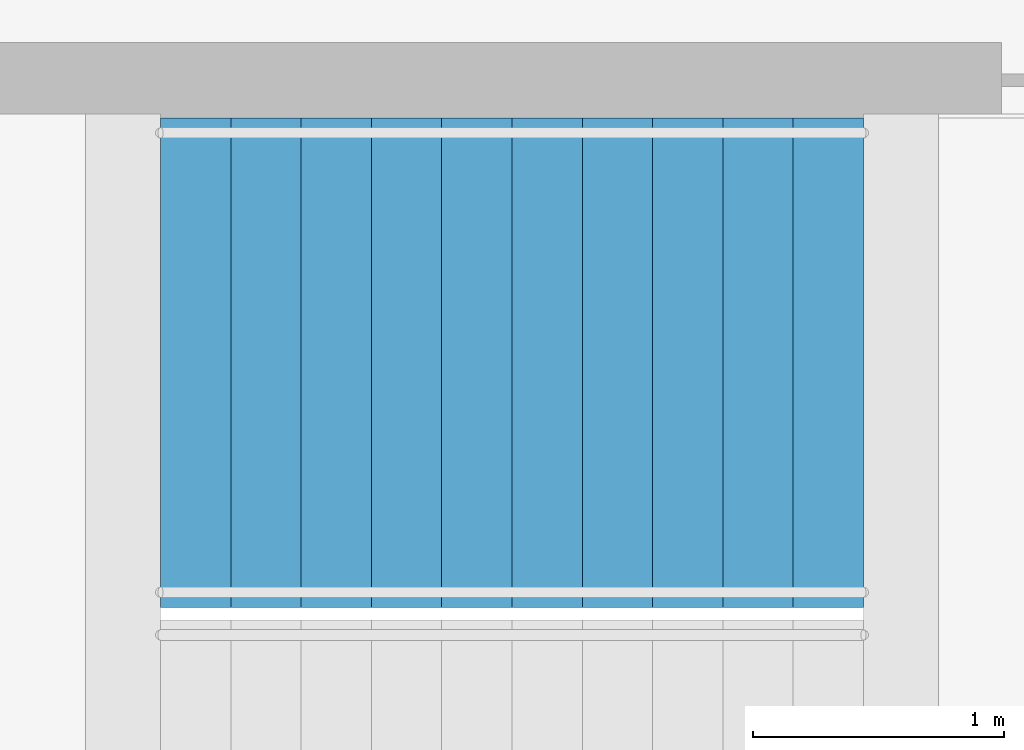
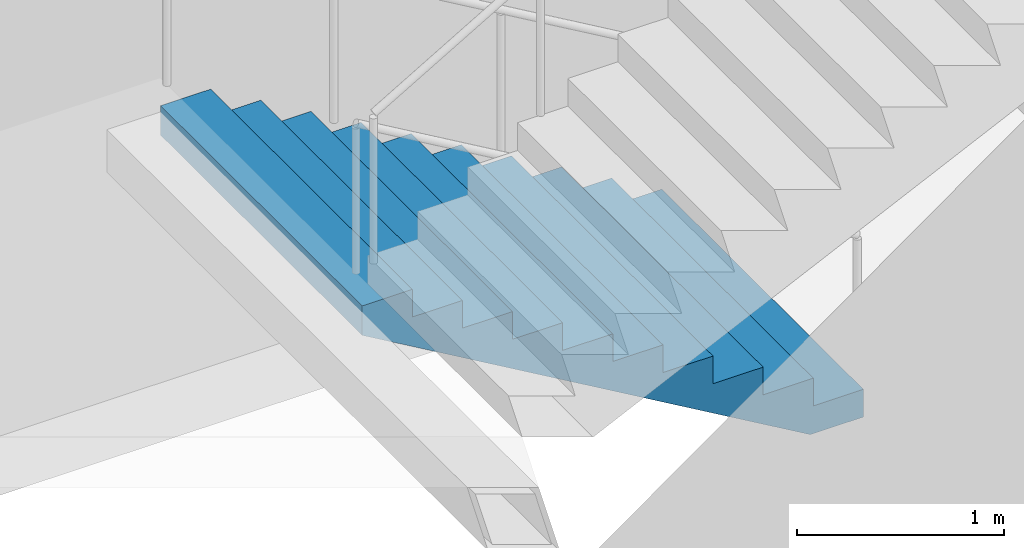
# One storey, part 22 of 24: 1 stair flight, 1 element without a shape of its own.
"""IFC4 building model written with IfcOpenShell, lengths in metres."""

from ifc_helpers import new_model, si_unit, direction, frame, origin, place, context, subcontext, project, spatial, triangles, material, type_object, element, aggregate, save


model = new_model("IFC4")

# Units and contexts
model_context = context("Model", 3, precision=1e-05, world=origin(), true_north=direction((0.0, 1.0)))
body_context = subcontext(model_context, "Body", "Model", "MODEL_VIEW")
ifc_project = project(units=[si_unit("LENGTHUNIT", "METRE"), si_unit("AREAUNIT", "SQUARE_METRE"), si_unit("VOLUMEUNIT", "CUBIC_METRE"), si_unit("PLANEANGLEUNIT", "RADIAN"), si_unit("MASSUNIT", "GRAM", prefix="KILO")], contexts=[model_context])

# Site, building, storey
site_placement = place(None, origin())
site = spatial("IfcSite", under=ifc_project, at=site_placement, CompositionType="ELEMENT")
building_placement = place(site_placement, origin())
building = spatial("IfcBuilding", under=site, at=building_placement, Name="Orbita Commons", CompositionType="ELEMENT")
storey_placement = place(building_placement, frame((0.0, 0.0, 68.949951171875)))
storey = spatial("IfcBuildingStorey", under=building, at=storey_placement, Name="L17", CompositionType="ELEMENT", Elevation=68.949951171875)

# Stair, stair flight
ifc_material_1 = material(Name="Precast concrete C40/50", Category="concrete")
stair_type = type_object("IfcStairType", Name="Exit stair S2 4 flights 11 risers 164", PredefinedType="HALF_TURN_STAIR", material=ifc_material_1)
stair_placement = place(storey_placement, origin())
stair = element("IfcStair", 1, at=stair_placement, inside=storey, type_object=stair_type, Name="Exit stair S2 L17", PredefinedType="HALF_TURN_STAIR")
ifc_material_2 = material(Name="Precast concrete C40/50", Category="concrete")
stair_flight_type = type_object("IfcStairFlightType", Name="Stair flight 11 risers 164 x 280", PredefinedType="STRAIGHT", material=ifc_material_2)
stair_flight_placement = place(storey_placement, frame((63.550048828125, 29.27490234375, 0.0), z_axis=(0.0, 0.0, 1.0), x_axis=(-1.0, 0.0, 0.0)))
stair_flight = element("IfcStairFlight", 2, at=stair_flight_placement, type_object=stair_flight_type, Name="S2 flight 1", NumberOfRisers=11, NumberOfTreads=10, PredefinedType="STRAIGHT", RiserHeight=0.163636364, TreadLength=0.28, context=body_context, shape_type="Tessellation", body=[
    triangles([(0.0, 0.974976, 0.0), (0.0, 0.974976, 0.020455), (0.0, 0.81248, 0.020455), (0.0, 0.81248, 0.0), (0.0, 0.649984, 0.020455), (0.0, 0.649984, 0.0), (0.0, 0.487488, 0.020455), (0.0, 0.487488, 0.0), (0.0, 0.324992, 0.020455), (0.0, 0.324992, 0.0), (0.0, 0.162496, 0.020455), (0.0, 0.162496, 0.0), (0.0, 0.0, 0.020455), (0.0, 0.0, 0.0), (0.0, -0.162496, 0.020455), (0.0, -0.162496, 0.0), (0.0, -0.324992, 0.020455), (0.0, -0.324992, 0.0), (0.0, -0.487488, 0.020455), (0.0, -0.487488, 0.0), (0.0, -0.649984, 0.020455), (0.0, -0.649984, 0.0), (0.0, -0.81248, 0.020455), (0.0, -0.81248, 0.0), (0.0, -0.974976, 0.020455), (0.0, -0.974976, 0.0), (0.0, 0.974976, 0.040909), (0.0, 0.81248, 0.040909), (0.0, 0.649984, 0.040909), (0.0, 0.487488, 0.040909), (0.0, 0.324992, 0.040909), (0.0, 0.162496, 0.040909), (0.0, 0.0, 0.040909), (0.0, -0.162496, 0.040909), (0.0, -0.324992, 0.040909), (0.0, -0.487488, 0.040909), (0.0, -0.649984, 0.040909), (0.0, -0.81248, 0.040909), (0.0, -0.974976, 0.040909), (0.0, 0.974976, 0.061364), (0.0, 0.81248, 0.061364), (0.0, 0.649984, 0.061364), (0.0, 0.487488, 0.061364), (0.0, 0.324992, 0.061364), (0.0, 0.162496, 0.061364), (0.0, 0.0, 0.061364), (0.0, -0.162496, 0.061364), (0.0, -0.324992, 0.061364), (0.0, -0.487488, 0.061364), (0.0, -0.649984, 0.061364), (0.0, -0.81248, 0.061364), (0.0, -0.974976, 0.061364), (0.0, 0.974976, 0.081818), (0.0, 0.81248, 0.081818), (0.0, 0.649984, 0.081818), (0.0, 0.487488, 0.081818), (0.0, 0.324992, 0.081818), (0.0, 0.162496, 0.081818), (0.0, 0.0, 0.081818), (0.0, -0.162496, 0.081818), (0.0, -0.324992, 0.081818), (0.0, -0.487488, 0.081818), (0.0, -0.649984, 0.081818), (0.0, -0.81248, 0.081818), (0.0, -0.974976, 0.081818), (0.0, 0.974976, 0.102273), (0.0, 0.81248, 0.102273), (0.0, 0.649984, 0.102273), (0.0, 0.487488, 0.102273), (0.0, 0.324992, 0.102273), (0.0, 0.162496, 0.102273), (0.0, 0.0, 0.102273), (0.0, -0.162496, 0.102273), (0.0, -0.324992, 0.102273), (0.0, -0.487488, 0.102273), (0.0, -0.649984, 0.102273), (0.0, -0.81248, 0.102273), (0.0, -0.974976, 0.102273), (0.0, 0.974976, 0.122727), (0.0, 0.81248, 0.122727), (0.0, 0.649984, 0.122727), (0.0, 0.487488, 0.122727), (0.0, 0.324992, 0.122727), (0.0, 0.162496, 0.122727), (0.0, 0.0, 0.122727), (0.0, -0.162496, 0.122727), (0.0, -0.324992, 0.122727), (0.0, -0.487488, 0.122727), (0.0, -0.649984, 0.122727), (0.0, -0.81248, 0.122727), (0.0, -0.974976, 0.122727), (0.0, 0.974976, 0.143182), (0.0, 0.81248, 0.143182), (0.0, 0.649984, 0.143182), (0.0, 0.487488, 0.143182), (0.0, 0.324992, 0.143182), (0.0, 0.162496, 0.143182), (0.0, 0.0, 0.143182), (0.0, -0.162496, 0.143182), (0.0, -0.324992, 0.143182), (0.0, -0.487488, 0.143182), (0.0, -0.649984, 0.143182), (0.0, -0.81248, 0.143182), (0.0, -0.974976, 0.143182), (0.0, 0.974976, 0.163636), (0.0, 0.81248, 0.163636), (0.0, 0.649984, 0.163636), (0.0, 0.487488, 0.163636), (0.0, 0.324992, 0.163636), (0.0, 0.162496, 0.163636), (0.0, 0.0, 0.163636), (0.0, -0.162496, 0.163636), (0.0, -0.324992, 0.163636), (0.0, -0.487488, 0.163636), (0.0, -0.649984, 0.163636), (0.0, -0.81248, 0.163636), (0.0, -0.974976, 0.163636), (0.28, 0.974976, 0.163636), (0.28, 0.81248, 0.163636), (0.28, 0.649984, 0.163636), (0.28, 0.487488, 0.163636), (0.28, 0.324992, 0.163636), (0.28, 0.162496, 0.163636), (0.28, 0.0, 0.163636), (0.28, -0.162496, 0.163636), (0.28, -0.324992, 0.163636), (0.28, -0.487488, 0.163636), (0.28, -0.649984, 0.163636), (0.28, -0.81248, 0.163636), (0.28, -0.974976, 0.163636), (0.28, 0.974976, 0.327273), (0.28, 0.81248, 0.327273), (0.28, 0.649984, 0.327273), (0.28, 0.487488, 0.327273), (0.28, 0.324992, 0.327273), (0.28, 0.162496, 0.327273), (0.28, 0.0, 0.327273), (0.28, -0.162496, 0.327273), (0.28, -0.324992, 0.327273), (0.28, -0.487488, 0.327273), (0.28, -0.649984, 0.327273), (0.28, -0.81248, 0.327273), (0.28, -0.974976, 0.327273), (0.56, 0.974976, 0.327273), (0.56, 0.81248, 0.327273), (0.56, 0.649984, 0.327273), (0.56, 0.487488, 0.327273), (0.56, 0.324992, 0.327273), (0.56, 0.162496, 0.327273), (0.56, 0.0, 0.327273), (0.56, -0.162496, 0.327273), (0.56, -0.324992, 0.327273), (0.56, -0.487488, 0.327273), (0.56, -0.649984, 0.327273), (0.56, -0.81248, 0.327273), (0.56, -0.974976, 0.327273), (0.56, 0.974976, 0.490909), (0.56, 0.81248, 0.490909), (0.56, 0.649984, 0.490909), (0.56, 0.487488, 0.490909), (0.56, 0.324992, 0.490909), (0.56, 0.162496, 0.490909), (0.56, 0.0, 0.490909), (0.56, -0.162496, 0.490909), (0.56, -0.324992, 0.490909), (0.56, -0.487488, 0.490909), (0.56, -0.649984, 0.490909), (0.56, -0.81248, 0.490909), (0.56, -0.974976, 0.490909), (0.84, 0.974976, 0.490909), (0.84, 0.81248, 0.490909), (0.84, 0.649984, 0.490909), (0.84, 0.487488, 0.490909), (0.84, 0.324992, 0.490909), (0.84, 0.162496, 0.490909), (0.84, 0.0, 0.490909), (0.84, -0.162496, 0.490909), (0.84, -0.324992, 0.490909), (0.84, -0.487488, 0.490909), (0.84, -0.649984, 0.490909), (0.84, -0.81248, 0.490909), (0.84, -0.974976, 0.490909), (0.84, 0.974976, 0.654545), (0.84, 0.81248, 0.654545), (0.84, 0.649984, 0.654545), (0.84, 0.487488, 0.654545), (0.84, 0.324992, 0.654545), (0.84, 0.162496, 0.654545), (0.84, 0.0, 0.654545), (0.84, -0.162496, 0.654545), (0.84, -0.324992, 0.654545), (0.84, -0.487488, 0.654545), (0.84, -0.649984, 0.654545), (0.84, -0.81248, 0.654545), (0.84, -0.974976, 0.654545), (1.12, 0.974976, 0.654545), (1.12, 0.81248, 0.654545), (1.12, 0.649984, 0.654545), (1.12, 0.487488, 0.654545), (1.12, 0.324992, 0.654545), (1.12, 0.162496, 0.654545), (1.12, 0.0, 0.654545), (1.12, -0.162496, 0.654545), (1.12, -0.324992, 0.654545), (1.12, -0.487488, 0.654545), (1.12, -0.649984, 0.654545), (1.12, -0.81248, 0.654545), (1.12, -0.974976, 0.654545), (1.12, 0.974976, 0.818182), (1.12, 0.81248, 0.818182), (1.12, 0.649984, 0.818182), (1.12, 0.487488, 0.818182), (1.12, 0.324992, 0.818182), (1.12, 0.162496, 0.818182), (1.12, 0.0, 0.818182), (1.12, -0.162496, 0.818182), (1.12, -0.324992, 0.818182), (1.12, -0.487488, 0.818182), (1.12, -0.649984, 0.818182), (1.12, -0.81248, 0.818182), (1.12, -0.974976, 0.818182), (1.4, 0.974976, 0.818182), (1.4, 0.81248, 0.818182), (1.4, 0.649984, 0.818182), (1.4, 0.487488, 0.818182), (1.4, 0.324992, 0.818182), (1.4, 0.162496, 0.818182), (1.4, 0.0, 0.818182), (1.4, -0.162496, 0.818182), (1.4, -0.324992, 0.818182), (1.4, -0.487488, 0.818182), (1.4, -0.649984, 0.818182), (1.4, -0.81248, 0.818182), (1.4, -0.974976, 0.818182), (1.4, 0.974976, 0.981818), (1.4, 0.81248, 0.981818), (1.4, 0.649984, 0.981818), (1.4, 0.487488, 0.981818), (1.4, 0.324992, 0.981818), (1.4, 0.162496, 0.981818), (1.4, 0.0, 0.981818), (1.4, -0.162496, 0.981818), (1.4, -0.324992, 0.981818), (1.4, -0.487488, 0.981818), (1.4, -0.649984, 0.981818), (1.4, -0.81248, 0.981818), (1.4, -0.974976, 0.981818), (1.68, 0.974976, 0.981818), (1.68, 0.81248, 0.981818), (1.68, 0.649984, 0.981818), (1.68, 0.487488, 0.981818), (1.68, 0.324992, 0.981818), (1.68, 0.162496, 0.981818), (1.68, 0.0, 0.981818), (1.68, -0.162496, 0.981818), (1.68, -0.324992, 0.981818), (1.68, -0.487488, 0.981818), (1.68, -0.649984, 0.981818), (1.68, -0.81248, 0.981818), (1.68, -0.974976, 0.981818), (1.68, 0.974976, 1.145455), (1.68, 0.81248, 1.145455), (1.68, 0.649984, 1.145455), (1.68, 0.487488, 1.145455), (1.68, 0.324992, 1.145455), (1.68, 0.162496, 1.145455), (1.68, 0.0, 1.145455), (1.68, -0.162496, 1.145455), (1.68, -0.324992, 1.145455), (1.68, -0.487488, 1.145455), (1.68, -0.649984, 1.145455), (1.68, -0.81248, 1.145455), (1.68, -0.974976, 1.145455), (1.96, 0.974976, 1.145455), (1.96, 0.81248, 1.145455), (1.96, 0.649984, 1.145455), (1.96, 0.487488, 1.145455), (1.96, 0.324992, 1.145455), (1.96, 0.162496, 1.145455), (1.96, 0.0, 1.145455), (1.96, -0.162496, 1.145455), (1.96, -0.324992, 1.145455), (1.96, -0.487488, 1.145455), (1.96, -0.649984, 1.145455), (1.96, -0.81248, 1.145455), (1.96, -0.974976, 1.145455), (1.96, 0.974976, 1.309091), (1.96, 0.81248, 1.309091), (1.96, 0.649984, 1.309091), (1.96, 0.487488, 1.309091), (1.96, 0.324992, 1.309091), (1.96, 0.162496, 1.309091), (1.96, 0.0, 1.309091), (1.96, -0.162496, 1.309091), (1.96, -0.324992, 1.309091), (1.96, -0.487488, 1.309091), (1.96, -0.649984, 1.309091), (1.96, -0.81248, 1.309091), (1.96, -0.974976, 1.309091), (2.24, 0.974976, 1.309091), (2.24, 0.81248, 1.309091), (2.24, 0.649984, 1.309091), (2.24, 0.487488, 1.309091), (2.24, 0.324992, 1.309091), (2.24, 0.162496, 1.309091), (2.24, 0.0, 1.309091), (2.24, -0.162496, 1.309091), (2.24, -0.324992, 1.309091), (2.24, -0.487488, 1.309091), (2.24, -0.649984, 1.309091), (2.24, -0.81248, 1.309091), (2.24, -0.974976, 1.309091), (2.24, 0.974976, 1.472727), (2.24, 0.81248, 1.472727), (2.24, 0.649984, 1.472727), (2.24, 0.487488, 1.472727), (2.24, 0.324992, 1.472727), (2.24, 0.162496, 1.472727), (2.24, 0.0, 1.472727), (2.24, -0.162496, 1.472727), (2.24, -0.324992, 1.472727), (2.24, -0.487488, 1.472727), (2.24, -0.649984, 1.472727), (2.24, -0.81248, 1.472727), (2.24, -0.974976, 1.472727), (2.52, 0.974976, 1.472727), (2.52, 0.81248, 1.472727), (2.52, 0.649984, 1.472727), (2.52, 0.487488, 1.472727), (2.52, 0.324992, 1.472727), (2.52, 0.162496, 1.472727), (2.52, 0.0, 1.472727), (2.52, -0.162496, 1.472727), (2.52, -0.324992, 1.472727), (2.52, -0.487488, 1.472727), (2.52, -0.649984, 1.472727), (2.52, -0.81248, 1.472727), (2.52, -0.974976, 1.472727), (2.52, 0.974976, 1.636364), (2.52, 0.81248, 1.636364), (2.52, 0.649984, 1.636364), (2.52, 0.487488, 1.636364), (2.52, 0.324992, 1.636364), (2.52, 0.162496, 1.636364), (2.52, 0.0, 1.636364), (2.52, -0.162496, 1.636364), (2.52, -0.324992, 1.636364), (2.52, -0.487488, 1.636364), (2.52, -0.649984, 1.636364), (2.52, -0.81248, 1.636364), (2.52, -0.974976, 1.636364), (2.8, 0.974976, 1.636364), (2.8, 0.81248, 1.636364), (2.8, 0.649984, 1.636364), (2.8, 0.487488, 1.636364), (2.8, 0.324992, 1.636364), (2.8, 0.162496, 1.636364), (2.8, 0.0, 1.636364), (2.8, -0.162496, 1.636364), (2.8, -0.324992, 1.636364), (2.8, -0.487488, 1.636364), (2.8, -0.649984, 1.636364), (2.8, -0.81248, 1.636364), (2.8, -0.974976, 1.636364), (2.8, 0.974976, 1.614661), (2.8, 0.81248, 1.614661), (2.8, 0.649984, 1.614661), (2.8, 0.487488, 1.614661), (2.8, 0.324992, 1.614661), (2.8, 0.162496, 1.614661), (2.8, 0.0, 1.614661), (2.8, -0.162496, 1.614661), (2.8, -0.324992, 1.614661), (2.8, -0.487488, 1.614661), (2.8, -0.649984, 1.614661), (2.8, -0.81248, 1.614661), (2.8, -0.974976, 1.614661), (2.8, 0.974976, 1.592958), (2.8, 0.81248, 1.592958), (2.8, 0.649984, 1.592958), (2.8, 0.487488, 1.592958), (2.8, 0.324992, 1.592958), (2.8, 0.162496, 1.592958), (2.8, 0.0, 1.592958), (2.8, -0.162496, 1.592958), (2.8, -0.324992, 1.592958), (2.8, -0.487488, 1.592958), (2.8, -0.649984, 1.592958), (2.8, -0.81248, 1.592958), (2.8, -0.974976, 1.592958), (2.8, 0.974976, 1.571255), (2.8, 0.81248, 1.571255), (2.8, 0.649984, 1.571255), (2.8, 0.487488, 1.571255), (2.8, 0.324992, 1.571255), (2.8, 0.162496, 1.571255), (2.8, 0.0, 1.571255), (2.8, -0.162496, 1.571255), (2.8, -0.324992, 1.571255), (2.8, -0.487488, 1.571255), (2.8, -0.649984, 1.571255), (2.8, -0.81248, 1.571255), (2.8, -0.974976, 1.571255), (2.8, 0.974976, 1.549551), (2.8, 0.81248, 1.549551), (2.8, 0.649984, 1.549551), (2.8, 0.487488, 1.549551), (2.8, 0.324992, 1.549551), (2.8, 0.162496, 1.549551), (2.8, 0.0, 1.549551), (2.8, -0.162496, 1.549551), (2.8, -0.324992, 1.549551), (2.8, -0.487488, 1.549551), (2.8, -0.649984, 1.549551), (2.8, -0.81248, 1.549551), (2.8, -0.974976, 1.549551), (2.8, 0.974976, 1.527848), (2.8, 0.81248, 1.527848), (2.8, 0.649984, 1.527848), (2.8, 0.487488, 1.527848), (2.8, 0.324992, 1.527848), (2.8, 0.162496, 1.527848), (2.8, 0.0, 1.527848), (2.8, -0.162496, 1.527848), (2.8, -0.324992, 1.527848), (2.8, -0.487488, 1.527848), (2.8, -0.649984, 1.527848), (2.8, -0.81248, 1.527848), (2.8, -0.974976, 1.527848), (2.8, 0.974976, 1.506145), (2.8, 0.81248, 1.506145), (2.8, 0.649984, 1.506145), (2.8, 0.487488, 1.506145), (2.8, 0.324992, 1.506145), (2.8, 0.162496, 1.506145), (2.8, 0.0, 1.506145), (2.8, -0.162496, 1.506145), (2.8, -0.324992, 1.506145), (2.8, -0.487488, 1.506145), (2.8, -0.649984, 1.506145), (2.8, -0.81248, 1.506145), (2.8, -0.974976, 1.506145), (2.8, 0.974976, 1.484442), (2.8, 0.81248, 1.484442), (2.8, 0.649984, 1.484442), (2.8, 0.487488, 1.484442), (2.8, 0.324992, 1.484442), (2.8, 0.162496, 1.484442), (2.8, 0.0, 1.484442), (2.8, -0.162496, 1.484442), (2.8, -0.324992, 1.484442), (2.8, -0.487488, 1.484442), (2.8, -0.649984, 1.484442), (2.8, -0.81248, 1.484442), (2.8, -0.974976, 1.484442), (2.8, 0.974976, 1.462739), (2.8, 0.81248, 1.462739), (2.8, 0.649984, 1.462739), (2.8, 0.487488, 1.462739), (2.8, 0.324992, 1.462739), (2.8, 0.162496, 1.462739), (2.8, 0.0, 1.462739), (2.8, -0.162496, 1.462739), (2.8, -0.324992, 1.462739), (2.8, -0.487488, 1.462739), (2.8, -0.649984, 1.462739), (2.8, -0.81248, 1.462739), (2.8, -0.974976, 1.462739), (0.29709, 0.974976, 0.0), (0.29709, 0.81248, 0.0), (0.29709, 0.649984, 0.0), (0.29709, 0.487488, 0.0), (0.29709, 0.324992, 0.0), (0.29709, 0.162496, 0.0), (0.29709, 0.0, 0.0), (0.29709, -0.162496, 0.0), (0.29709, -0.324992, 0.0), (0.29709, -0.487488, 0.0), (0.29709, -0.649984, 0.0), (0.29709, -0.81248, 0.0), (0.29709, -0.974976, 0.0)], [[3, 2, 1], [4, 3, 1], [5, 3, 4], [6, 5, 4], [7, 5, 6], [8, 7, 6], [9, 7, 8], [10, 9, 8], [11, 9, 10], [12, 11, 10], [13, 11, 12], [14, 13, 12], [15, 13, 14], [16, 15, 14], [17, 15, 16], [18, 17, 16], [19, 17, 18], [20, 19, 18], [21, 19, 20], [22, 21, 20], [23, 21, 22], [24, 23, 22], [25, 23, 24], [26, 25, 24], [28, 27, 2], [3, 28, 2], [29, 28, 3], [5, 29, 3], [30, 29, 5], [7, 30, 5], [31, 30, 7], [9, 31, 7], [32, 31, 9], [11, 32, 9], [33, 32, 11], [13, 33, 11], [34, 33, 13], [15, 34, 13], [35, 34, 15], [17, 35, 15], [36, 35, 17], [19, 36, 17], [37, 36, 19], [21, 37, 19], [38, 37, 21], [23, 38, 21], [39, 38, 23], [25, 39, 23], [41, 40, 27], [28, 41, 27], [42, 41, 28], [29, 42, 28], [43, 42, 29], [30, 43, 29], [44, 43, 30], [31, 44, 30], [45, 44, 31], [32, 45, 31], [46, 45, 32], [33, 46, 32], [47, 46, 33], [34, 47, 33], [48, 47, 34], [35, 48, 34], [49, 48, 35], [36, 49, 35], [50, 49, 36], [37, 50, 36], [51, 50, 37], [38, 51, 37], [52, 51, 38], [39, 52, 38], [54, 53, 40], [41, 54, 40], [55, 54, 41], [42, 55, 41], [56, 55, 42], [43, 56, 42], [57, 56, 43], [44, 57, 43], [58, 57, 44], [45, 58, 44], [59, 58, 45], [46, 59, 45], [60, 59, 46], [47, 60, 46], [61, 60, 47], [48, 61, 47], [62, 61, 48], [49, 62, 48], [63, 62, 49], [50, 63, 49], [64, 63, 50], [51, 64, 50], [65, 64, 51], [52, 65, 51], [67, 66, 53], [54, 67, 53], [68, 67, 54], [55, 68, 54], [69, 68, 55], [56, 69, 55], [70, 69, 56], [57, 70, 56], [71, 70, 57], [58, 71, 57], [72, 71, 58], [59, 72, 58], [73, 72, 59], [60, 73, 59], [74, 73, 60], [61, 74, 60], [75, 74, 61], [62, 75, 61], [76, 75, 62], [63, 76, 62], [77, 76, 63], [64, 77, 63], [78, 77, 64], [65, 78, 64], [80, 79, 66], [67, 80, 66], [81, 80, 67], [68, 81, 67], [82, 81, 68], [69, 82, 68], [83, 82, 69], [70, 83, 69], [84, 83, 70], [71, 84, 70], [85, 84, 71], [72, 85, 71], [86, 85, 72], [73, 86, 72], [87, 86, 73], [74, 87, 73], [88, 87, 74], [75, 88, 74], [89, 88, 75], [76, 89, 75], [90, 89, 76], [77, 90, 76], [91, 90, 77], [78, 91, 77], [93, 92, 79], [80, 93, 79], [94, 93, 80], [81, 94, 80], [95, 94, 81], [82, 95, 81], [96, 95, 82], [83, 96, 82], [97, 96, 83], [84, 97, 83], [98, 97, 84], [85, 98, 84], [99, 98, 85], [86, 99, 85], [100, 99, 86], [87, 100, 86], [101, 100, 87], [88, 101, 87], [102, 101, 88], [89, 102, 88], [103, 102, 89], [90, 103, 89], [104, 103, 90], [91, 104, 90], [106, 105, 92], [93, 106, 92], [107, 106, 93], [94, 107, 93], [108, 107, 94], [95, 108, 94], [109, 108, 95], [96, 109, 95], [110, 109, 96], [97, 110, 96], [111, 110, 97], [98, 111, 97], [112, 111, 98], [99, 112, 98], [113, 112, 99], [100, 113, 99], [114, 113, 100], [101, 114, 100], [115, 114, 101], [102, 115, 101], [116, 115, 102], [103, 116, 102], [117, 116, 103], [104, 117, 103], [119, 118, 105], [106, 119, 105], [120, 119, 106], [107, 120, 106], [121, 120, 107], [108, 121, 107], [122, 121, 108], [109, 122, 108], [123, 122, 109], [110, 123, 109], [124, 123, 110], [111, 124, 110], [125, 124, 111], [112, 125, 111], [126, 125, 112], [113, 126, 112], [127, 126, 113], [114, 127, 113], [128, 127, 114], [115, 128, 114], [129, 128, 115], [116, 129, 115], [130, 129, 116], [117, 130, 116], [132, 131, 118], [119, 132, 118], [133, 132, 119], [120, 133, 119], [134, 133, 120], [121, 134, 120], [135, 134, 121], [122, 135, 121], [136, 135, 122], [123, 136, 122], [137, 136, 123], [124, 137, 123], [138, 137, 124], [125, 138, 124], [139, 138, 125], [126, 139, 125], [140, 139, 126], [127, 140, 126], [141, 140, 127], [128, 141, 127], [142, 141, 128], [129, 142, 128], [143, 142, 129], [130, 143, 129], [145, 144, 131], [132, 145, 131], [146, 145, 132], [133, 146, 132], [147, 146, 133], [134, 147, 133], [148, 147, 134], [135, 148, 134], [149, 148, 135], [136, 149, 135], [150, 149, 136], [137, 150, 136], [151, 150, 137], [138, 151, 137], [152, 151, 138], [139, 152, 138], [153, 152, 139], [140, 153, 139], [154, 153, 140], [141, 154, 140], [155, 154, 141], [142, 155, 141], [156, 155, 142], [143, 156, 142], [158, 157, 144], [145, 158, 144], [159, 158, 145], [146, 159, 145], [160, 159, 146], [147, 160, 146], [161, 160, 147], [148, 161, 147], [162, 161, 148], [149, 162, 148], [163, 162, 149], [150, 163, 149], [164, 163, 150], [151, 164, 150], [165, 164, 151], [152, 165, 151], [166, 165, 152], [153, 166, 152], [167, 166, 153], [154, 167, 153], [168, 167, 154], [155, 168, 154], [169, 168, 155], [156, 169, 155], [171, 170, 157], [158, 171, 157], [172, 171, 158], [159, 172, 158], [173, 172, 159], [160, 173, 159], [174, 173, 160], [161, 174, 160], [175, 174, 161], [162, 175, 161], [176, 175, 162], [163, 176, 162], [177, 176, 163], [164, 177, 163], [178, 177, 164], [165, 178, 164], [179, 178, 165], [166, 179, 165], [180, 179, 166], [167, 180, 166], [181, 180, 167], [168, 181, 167], [182, 181, 168], [169, 182, 168], [184, 183, 170], [171, 184, 170], [185, 184, 171], [172, 185, 171], [186, 185, 172], [173, 186, 172], [187, 186, 173], [174, 187, 173], [188, 187, 174], [175, 188, 174], [189, 188, 175], [176, 189, 175], [190, 189, 176], [177, 190, 176], [191, 190, 177], [178, 191, 177], [192, 191, 178], [179, 192, 178], [193, 192, 179], [180, 193, 179], [194, 193, 180], [181, 194, 180], [195, 194, 181], [182, 195, 181], [197, 196, 183], [184, 197, 183], [198, 197, 184], [185, 198, 184], [199, 198, 185], [186, 199, 185], [200, 199, 186], [187, 200, 186], [201, 200, 187], [188, 201, 187], [202, 201, 188], [189, 202, 188], [203, 202, 189], [190, 203, 189], [204, 203, 190], [191, 204, 190], [205, 204, 191], [192, 205, 191], [206, 205, 192], [193, 206, 192], [207, 206, 193], [194, 207, 193], [208, 207, 194], [195, 208, 194], [210, 209, 196], [197, 210, 196], [211, 210, 197], [198, 211, 197], [212, 211, 198], [199, 212, 198], [213, 212, 199], [200, 213, 199], [214, 213, 200], [201, 214, 200], [215, 214, 201], [202, 215, 201], [216, 215, 202], [203, 216, 202], [217, 216, 203], [204, 217, 203], [218, 217, 204], [205, 218, 204], [219, 218, 205], [206, 219, 205], [220, 219, 206], [207, 220, 206], [221, 220, 207], [208, 221, 207], [223, 222, 209], [210, 223, 209], [224, 223, 210], [211, 224, 210], [225, 224, 211], [212, 225, 211], [226, 225, 212], [213, 226, 212], [227, 226, 213], [214, 227, 213], [228, 227, 214], [215, 228, 214], [229, 228, 215], [216, 229, 215], [230, 229, 216], [217, 230, 216], [231, 230, 217], [218, 231, 217], [232, 231, 218], [219, 232, 218], [233, 232, 219], [220, 233, 219], [234, 233, 220], [221, 234, 220], [236, 235, 222], [223, 236, 222], [237, 236, 223], [224, 237, 223], [238, 237, 224], [225, 238, 224], [239, 238, 225], [226, 239, 225], [240, 239, 226], [227, 240, 226], [241, 240, 227], [228, 241, 227], [242, 241, 228], [229, 242, 228], [243, 242, 229], [230, 243, 229], [244, 243, 230], [231, 244, 230], [245, 244, 231], [232, 245, 231], [246, 245, 232], [233, 246, 232], [247, 246, 233], [234, 247, 233], [249, 248, 235], [236, 249, 235], [250, 249, 236], [237, 250, 236], [251, 250, 237], [238, 251, 237], [252, 251, 238], [239, 252, 238], [253, 252, 239], [240, 253, 239], [254, 253, 240], [241, 254, 240], [255, 254, 241], [242, 255, 241], [256, 255, 242], [243, 256, 242], [257, 256, 243], [244, 257, 243], [258, 257, 244], [245, 258, 244], [259, 258, 245], [246, 259, 245], [260, 259, 246], [247, 260, 246], [262, 261, 248], [249, 262, 248], [263, 262, 249], [250, 263, 249], [264, 263, 250], [251, 264, 250], [265, 264, 251], [252, 265, 251], [266, 265, 252], [253, 266, 252], [267, 266, 253], [254, 267, 253], [268, 267, 254], [255, 268, 254], [269, 268, 255], [256, 269, 255], [270, 269, 256], [257, 270, 256], [271, 270, 257], [258, 271, 257], [272, 271, 258], [259, 272, 258], [273, 272, 259], [260, 273, 259], [275, 274, 261], [262, 275, 261], [276, 275, 262], [263, 276, 262], [277, 276, 263], [264, 277, 263], [278, 277, 264], [265, 278, 264], [279, 278, 265], [266, 279, 265], [280, 279, 266], [267, 280, 266], [281, 280, 267], [268, 281, 267], [282, 281, 268], [269, 282, 268], [283, 282, 269], [270, 283, 269], [284, 283, 270], [271, 284, 270], [285, 284, 271], [272, 285, 271], [286, 285, 272], [273, 286, 272], [288, 287, 274], [275, 288, 274], [289, 288, 275], [276, 289, 275], [290, 289, 276], [277, 290, 276], [291, 290, 277], [278, 291, 277], [292, 291, 278], [279, 292, 278], [293, 292, 279], [280, 293, 279], [294, 293, 280], [281, 294, 280], [295, 294, 281], [282, 295, 281], [296, 295, 282], [283, 296, 282], [297, 296, 283], [284, 297, 283], [298, 297, 284], [285, 298, 284], [299, 298, 285], [286, 299, 285], [301, 300, 287], [288, 301, 287], [302, 301, 288], [289, 302, 288], [303, 302, 289], [290, 303, 289], [304, 303, 290], [291, 304, 290], [305, 304, 291], [292, 305, 291], [306, 305, 292], [293, 306, 292], [307, 306, 293], [294, 307, 293], [308, 307, 294], [295, 308, 294], [309, 308, 295], [296, 309, 295], [310, 309, 296], [297, 310, 296], [311, 310, 297], [298, 311, 297], [312, 311, 298], [299, 312, 298], [314, 313, 300], [301, 314, 300], [315, 314, 301], [302, 315, 301], [316, 315, 302], [303, 316, 302], [317, 316, 303], [304, 317, 303], [318, 317, 304], [305, 318, 304], [319, 318, 305], [306, 319, 305], [320, 319, 306], [307, 320, 306], [321, 320, 307], [308, 321, 307], [322, 321, 308], [309, 322, 308], [323, 322, 309], [310, 323, 309], [324, 323, 310], [311, 324, 310], [325, 324, 311], [312, 325, 311], [327, 326, 313], [314, 327, 313], [328, 327, 314], [315, 328, 314], [329, 328, 315], [316, 329, 315], [330, 329, 316], [317, 330, 316], [331, 330, 317], [318, 331, 317], [332, 331, 318], [319, 332, 318], [333, 332, 319], [320, 333, 319], [334, 333, 320], [321, 334, 320], [335, 334, 321], [322, 335, 321], [336, 335, 322], [323, 336, 322], [337, 336, 323], [324, 337, 323], [338, 337, 324], [325, 338, 324], [340, 339, 326], [327, 340, 326], [341, 340, 327], [328, 341, 327], [342, 341, 328], [329, 342, 328], [343, 342, 329], [330, 343, 329], [344, 343, 330], [331, 344, 330], [345, 344, 331], [332, 345, 331], [346, 345, 332], [333, 346, 332], [347, 346, 333], [334, 347, 333], [348, 347, 334], [335, 348, 334], [349, 348, 335], [336, 349, 335], [350, 349, 336], [337, 350, 336], [351, 350, 337], [338, 351, 337], [353, 352, 339], [340, 353, 339], [354, 353, 340], [341, 354, 340], [355, 354, 341], [342, 355, 341], [356, 355, 342], [343, 356, 342], [357, 356, 343], [344, 357, 343], [358, 357, 344], [345, 358, 344], [359, 358, 345], [346, 359, 345], [360, 359, 346], [347, 360, 346], [361, 360, 347], [348, 361, 347], [362, 361, 348], [349, 362, 348], [363, 362, 349], [350, 363, 349], [364, 363, 350], [351, 364, 350], [366, 365, 352], [353, 366, 352], [367, 366, 353], [354, 367, 353], [368, 367, 354], [355, 368, 354], [369, 368, 355], [356, 369, 355], [370, 369, 356], [357, 370, 356], [371, 370, 357], [358, 371, 357], [372, 371, 358], [359, 372, 358], [373, 372, 359], [360, 373, 359], [374, 373, 360], [361, 374, 360], [375, 374, 361], [362, 375, 361], [376, 375, 362], [363, 376, 362], [377, 376, 363], [364, 377, 363], [379, 378, 365], [366, 379, 365], [380, 379, 366], [367, 380, 366], [381, 380, 367], [368, 381, 367], [382, 381, 368], [369, 382, 368], [383, 382, 369], [370, 383, 369], [384, 383, 370], [371, 384, 370], [385, 384, 371], [372, 385, 371], [386, 385, 372], [373, 386, 372], [387, 386, 373], [374, 387, 373], [388, 387, 374], [375, 388, 374], [389, 388, 375], [376, 389, 375], [390, 389, 376], [377, 390, 376], [392, 391, 378], [379, 392, 378], [393, 392, 379], [380, 393, 379], [394, 393, 380], [381, 394, 380], [395, 394, 381], [382, 395, 381], [396, 395, 382], [383, 396, 382], [397, 396, 383], [384, 397, 383], [398, 397, 384], [385, 398, 384], [399, 398, 385], [386, 399, 385], [400, 399, 386], [387, 400, 386], [401, 400, 387], [388, 401, 387], [402, 401, 388], [389, 402, 388], [403, 402, 389], [390, 403, 389], [405, 404, 391], [392, 405, 391], [406, 405, 392], [393, 406, 392], [407, 406, 393], [394, 407, 393], [408, 407, 394], [395, 408, 394], [409, 408, 395], [396, 409, 395], [410, 409, 396], [397, 410, 396], [411, 410, 397], [398, 411, 397], [412, 411, 398], [399, 412, 398], [413, 412, 399], [400, 413, 399], [414, 413, 400], [401, 414, 400], [415, 414, 401], [402, 415, 401], [416, 415, 402], [403, 416, 402], [418, 417, 404], [405, 418, 404], [419, 418, 405], [406, 419, 405], [420, 419, 406], [407, 420, 406], [421, 420, 407], [408, 421, 407], [422, 421, 408], [409, 422, 408], [423, 422, 409], [410, 423, 409], [424, 423, 410], [411, 424, 410], [425, 424, 411], [412, 425, 411], [426, 425, 412], [413, 426, 412], [427, 426, 413], [414, 427, 413], [428, 427, 414], [415, 428, 414], [429, 428, 415], [416, 429, 415], [431, 430, 417], [418, 431, 417], [432, 431, 418], [419, 432, 418], [433, 432, 419], [420, 433, 419], [434, 433, 420], [421, 434, 420], [435, 434, 421], [422, 435, 421], [436, 435, 422], [423, 436, 422], [437, 436, 423], [424, 437, 423], [438, 437, 424], [425, 438, 424], [439, 438, 425], [426, 439, 425], [440, 439, 426], [427, 440, 426], [441, 440, 427], [428, 441, 427], [442, 441, 428], [429, 442, 428], [444, 443, 430], [431, 444, 430], [445, 444, 431], [432, 445, 431], [446, 445, 432], [433, 446, 432], [447, 446, 433], [434, 447, 433], [448, 447, 434], [435, 448, 434], [449, 448, 435], [436, 449, 435], [450, 449, 436], [437, 450, 436], [451, 450, 437], [438, 451, 437], [452, 451, 438], [439, 452, 438], [453, 452, 439], [440, 453, 439], [454, 453, 440], [441, 454, 440], [455, 454, 441], [442, 455, 441], [457, 456, 443], [444, 457, 443], [458, 457, 444], [445, 458, 444], [459, 458, 445], [446, 459, 445], [460, 459, 446], [447, 460, 446], [461, 460, 447], [448, 461, 447], [462, 461, 448], [449, 462, 448], [463, 462, 449], [450, 463, 449], [464, 463, 450], [451, 464, 450], [465, 464, 451], [452, 465, 451], [466, 465, 452], [453, 466, 452], [467, 466, 453], [454, 467, 453], [468, 467, 454], [455, 468, 454], [470, 469, 456], [457, 470, 456], [471, 470, 457], [458, 471, 457], [472, 471, 458], [459, 472, 458], [473, 472, 459], [460, 473, 459], [474, 473, 460], [461, 474, 460], [475, 474, 461], [462, 475, 461], [476, 475, 462], [463, 476, 462], [477, 476, 463], [464, 477, 463], [478, 477, 464], [465, 478, 464], [479, 478, 465], [466, 479, 465], [480, 479, 466], [467, 480, 466], [481, 480, 467], [468, 481, 467], [4, 1, 469], [470, 4, 469], [6, 4, 470], [471, 6, 470], [8, 6, 471], [472, 8, 471], [10, 8, 472], [473, 10, 472], [12, 10, 473], [474, 12, 473], [14, 12, 474], [475, 14, 474], [16, 14, 475], [476, 16, 475], [18, 16, 476], [477, 18, 476], [20, 18, 477], [478, 20, 477], [22, 20, 478], [479, 22, 478], [24, 22, 479], [480, 24, 479], [26, 24, 480], [481, 26, 480], [456, 469, 1], [26, 481, 468], [443, 456, 1], [26, 468, 455], [430, 443, 1], [26, 455, 442], [417, 430, 1], [26, 442, 429], [404, 417, 1], [26, 429, 416], [391, 404, 1], [26, 416, 403], [378, 391, 1], [26, 403, 390], [365, 378, 1], [26, 390, 377], [339, 352, 365], [377, 364, 351], [326, 339, 365], [377, 351, 338], [300, 313, 326], [338, 325, 312], [300, 326, 365], [377, 338, 312], [274, 287, 300], [312, 299, 286], [274, 300, 365], [377, 312, 286], [248, 261, 274], [286, 273, 260], [248, 274, 365], [377, 286, 260], [222, 235, 248], [260, 247, 234], [222, 248, 365], [377, 260, 234], [196, 209, 222], [234, 221, 208], [196, 222, 365], [377, 234, 208], [170, 183, 196], [208, 195, 182], [170, 196, 365], [377, 208, 182], [144, 157, 170], [182, 169, 156], [144, 170, 365], [377, 182, 156], [118, 131, 144], [156, 143, 130], [118, 144, 365], [377, 156, 130], [118, 365, 1], [26, 377, 130], [92, 105, 118], [130, 117, 104], [79, 92, 118], [130, 104, 91], [66, 79, 118], [130, 91, 78], [53, 66, 118], [130, 78, 65], [40, 53, 118], [130, 65, 52], [27, 40, 118], [130, 52, 39], [2, 27, 118], [130, 39, 25], [1, 2, 118], [130, 25, 26]], closed=True),
])
aggregate(stair, [stair_flight])

save(model, "model.ifc")
